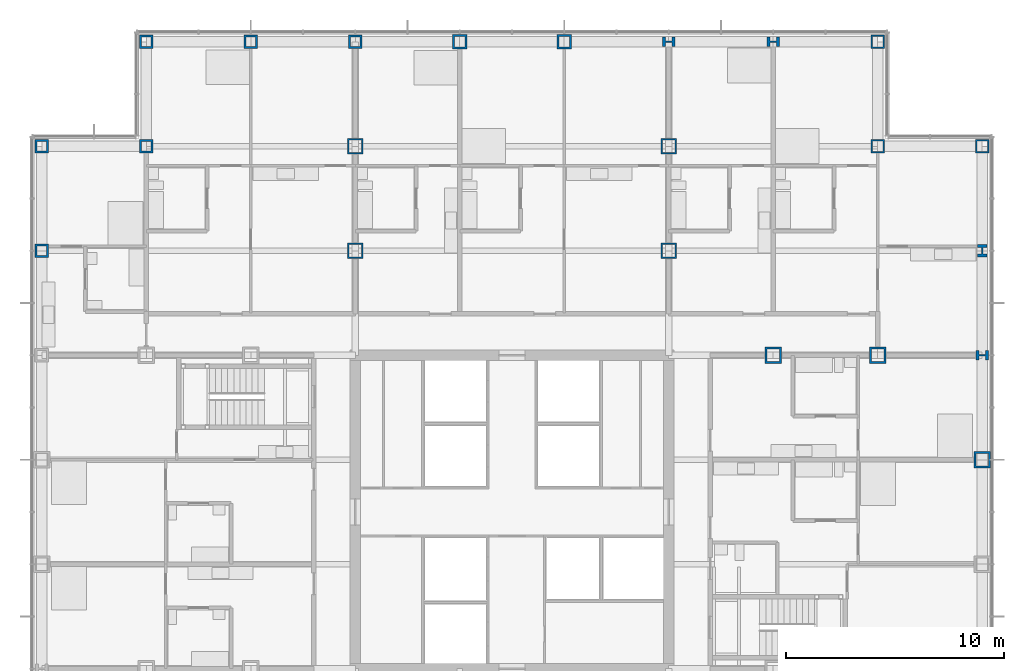
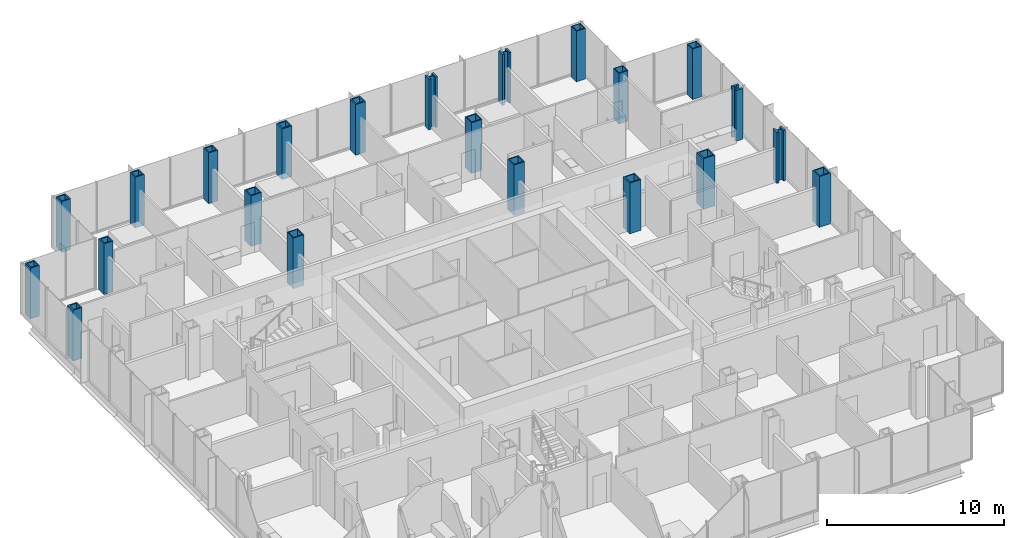
# One storey, part 5 of 21: 22 columns.
"""IFC4 building model written with IfcOpenShell, lengths in metres."""

from ifc_helpers import new_model, si_unit, direction, frame, origin, origin_2d, place, context, subcontext, project, spatial, hollow_rectangle, i_section, extrude, material, material_profile, profile_set, type_object, element, save


model = new_model("IFC4")

# Units and contexts
model_context = context("Model", 3, precision=1e-05, world=origin(), true_north=direction((0.0, 1.0)))
body_context = subcontext(model_context, "Body", "Model", "MODEL_VIEW")
ifc_project = project(units=[si_unit("LENGTHUNIT", "METRE"), si_unit("AREAUNIT", "SQUARE_METRE"), si_unit("VOLUMEUNIT", "CUBIC_METRE"), si_unit("PLANEANGLEUNIT", "RADIAN"), si_unit("MASSUNIT", "GRAM", prefix="KILO")], contexts=[model_context])

# Site, building, storey
site_placement = place(None, origin())
site = spatial("IfcSite", under=ifc_project, at=site_placement, CompositionType="ELEMENT")
building_placement = place(site_placement, origin())
building = spatial("IfcBuilding", under=site, at=building_placement, Name="Kvirike Care Tower", CompositionType="ELEMENT")
storey_placement = place(building_placement, frame((0.0, 0.0, 34.0)))
storey = spatial("IfcBuildingStorey", under=building, at=storey_placement, Name="L08", CompositionType="ELEMENT", Elevation=34.0)

# Columns
ifc_material_1 = material(Name="Steel S460", Category="steel")
ifc_material_profile_1 = material_profile(ifc_material_1, hollow_rectangle(XDim=0.60009765625, YDim=0.60009765625, WallThickness=0.050048828125, at=origin_2d()), Name="BX 600x600x50")
ifc_profile_set_1 = profile_set([ifc_material_profile_1], Name="Steel S460")
column_type_1 = type_object("IfcColumnType", Name="COLUMN BX 600x600x50", PredefinedType="COLUMN", material=ifc_profile_set_1)
for number, where, z_axis, x_axis, name in (
    (1, (38.39990234375, 52.800048828125, 0.0), (0.0, 0.0, 1.0), (0.0, 1.0, 0.0), "Column M11 L08"),
    (2, (38.39990234375, 57.60009765625, 0.0), (0.0, 0.0, 1.0), (0.0, 1.0, 0.0), "Column N11 L08"),
    (3, (43.199951171875, 52.800048828125, 0.0), (0.0, 0.0, 1.0), (0.0, 1.0, 0.0), "Column M12 L08"),
):
    element("IfcColumn", number, at=place(storey_placement, frame(where, z_axis=z_axis, x_axis=x_axis)), inside=storey, type_object=column_type_1, Name=name, PredefinedType="COLUMN", context=body_context, shape_type="SweptSolid", body=[
        extrude(hollow_rectangle(XDim=0.60009765625, YDim=0.60009765625, WallThickness=0.050048828125, at=origin_2d()), origin(), (0.0, 0.0, 1.0), 3.5),
    ])
ifc_material_2 = material(Name="Steel S460", Category="steel")
ifc_material_profile_2 = material_profile(ifc_material_2, hollow_rectangle(XDim=0.60009765625, YDim=0.60009765625, WallThickness=0.080078125, at=origin_2d()), Name="BX 600x600x80")
ifc_profile_set_2 = profile_set([ifc_material_profile_2], Name="Steel S460")
column_type_2 = type_object("IfcColumnType", Name="COLUMN BX 600x600x80", PredefinedType="COLUMN", material=ifc_profile_set_2)
for number, where, z_axis, x_axis, name in (
    (4, (0.0, 48.0, 0.0), (0.0, 0.0, 1.0), (1.0, 0.0, 0.0), "Column L3 L08"),
    (5, (0.0, 52.800048828125, 0.0), (0.0, 0.0, 1.0), (0.0, 1.0, 0.0), "Column M3 L08"),
    (6, (4.800048828125, 52.800048828125, 0.0), (0.0, 0.0, 1.0), (0.0, 1.0, 0.0), "Column M4 L08"),
    (7, (4.800048828125, 57.60009765625, 0.0), (0.0, 0.0, 1.0), (0.0, 1.0, 0.0), "Column N4 L08"),
    (8, (9.60009765625, 57.60009765625, 0.0), (0.0, 0.0, 1.0), (0.0, 1.0, 0.0), "Column N5 L08"),
    (9, (14.39990234375, 57.60009765625, 0.0), (0.0, 0.0, 1.0), (0.0, 1.0, 0.0), "Column N6 L08"),
):
    element("IfcColumn", number, at=place(storey_placement, frame(where, z_axis=z_axis, x_axis=x_axis)), inside=storey, type_object=column_type_2, Name=name, PredefinedType="COLUMN", context=body_context, shape_type="SweptSolid", body=[
        extrude(hollow_rectangle(XDim=0.60009765625, YDim=0.60009765625, WallThickness=0.080078125, at=origin_2d()), origin(), (0.0, 0.0, 1.0), 3.5),
    ])
ifc_material_3 = material(Name="Steel S460", Category="steel")
ifc_material_profile_3 = material_profile(ifc_material_3, hollow_rectangle(XDim=0.64990234375, YDim=0.64990234375, WallThickness=0.080078125, at=origin_2d()), Name="BX 650x650x80")
ifc_profile_set_3 = profile_set([ifc_material_profile_3], Name="Steel S460")
column_type_3 = type_object("IfcColumnType", Name="COLUMN BX 650x650x80", PredefinedType="COLUMN", material=ifc_profile_set_3)
for number, where, z_axis, x_axis, name in (
    (10, (19.199951171875, 57.60009765625, 0.0), (0.0, 0.0, 1.0), (0.0, 1.0, 0.0), "Column N7 L08"),
    (11, (24.0, 57.60009765625, 0.0), (0.0, 0.0, 1.0), (0.0, 1.0, 0.0), "Column N8 L08"),
):
    element("IfcColumn", number, at=place(storey_placement, frame(where, z_axis=z_axis, x_axis=x_axis)), inside=storey, type_object=column_type_3, Name=name, PredefinedType="COLUMN", context=body_context, shape_type="SweptSolid", body=[
        extrude(hollow_rectangle(XDim=0.64990234375, YDim=0.64990234375, WallThickness=0.080078125, at=origin_2d()), origin(), (0.0, 0.0, 1.0), 3.5),
    ])
ifc_material_4 = material(Name="Steel S460", Category="steel")
ifc_material_profile_4 = material_profile(ifc_material_4, hollow_rectangle(XDim=0.699951171875, YDim=0.699951171875, WallThickness=0.06005859375, at=origin_2d()), Name="BX 700x700x60")
ifc_profile_set_4 = profile_set([ifc_material_profile_4], Name="Steel S460")
column_type_4 = type_object("IfcColumnType", Name="COLUMN BX 700x700x60", PredefinedType="COLUMN", material=ifc_profile_set_4)
for number, where, z_axis, x_axis, name in (
    (12, (14.39990234375, 48.0, 0.0), (0.0, 0.0, 1.0), (1.0, 0.0, 0.0), "Column L6 L08"),
    (13, (14.39990234375, 52.800048828125, 0.0), (0.0, 0.0, 1.0), (1.0, 0.0, 0.0), "Column M6 L08"),
    (14, (28.800048828125, 48.0, 0.0), (0.0, 0.0, 1.0), (1.0, 0.0, 0.0), "Column L9 L08"),
    (15, (28.800048828125, 52.800048828125, 0.0), (0.0, 0.0, 1.0), (1.0, 0.0, 0.0), "Column M9 L08"),
):
    element("IfcColumn", number, at=place(storey_placement, frame(where, z_axis=z_axis, x_axis=x_axis)), inside=storey, type_object=column_type_4, Name=name, PredefinedType="COLUMN", context=body_context, shape_type="SweptSolid", body=[
        extrude(hollow_rectangle(XDim=0.699951171875, YDim=0.699951171875, WallThickness=0.06005859375, at=origin_2d()), origin(), (0.0, 0.0, 1.0), 3.5),
    ])
ifc_material_5 = material(Name="Steel S460", Category="steel")
ifc_material_profile_5 = material_profile(ifc_material_5, hollow_rectangle(XDim=0.75, YDim=0.75, WallThickness=0.080078125, at=origin_2d()), Name="BX 750x750x80")
ifc_profile_set_5 = profile_set([ifc_material_profile_5], Name="Steel S460")
column_type_5 = type_object("IfcColumnType", Name="COLUMN BX 750x750x80", PredefinedType="COLUMN", material=ifc_profile_set_5)
for number, where, z_axis, x_axis, name in (
    (16, (33.60009765625, 43.199951171875, 0.0), (0.0, 0.0, 1.0), (0.0, 1.0, 0.0), "Column K10 L08"),
    (17, (38.39990234375, 43.199951171875, 0.0), (0.0, 0.0, 1.0), (0.0, 1.0, 0.0), "Column K11 L08"),
    (18, (43.199951171875, 38.39990234375, 0.0), (0.0, 0.0, 1.0), (1.0, 0.0, 0.0), "Column J12 L08"),
):
    element("IfcColumn", number, at=place(storey_placement, frame(where, z_axis=z_axis, x_axis=x_axis)), inside=storey, type_object=column_type_5, Name=name, PredefinedType="COLUMN", context=body_context, shape_type="SweptSolid", body=[
        extrude(hollow_rectangle(XDim=0.75, YDim=0.75, WallThickness=0.080078125, at=origin_2d()), origin(), (0.0, 0.0, 1.0), 3.5),
    ])
ifc_material_6 = material(Name="Steel S460", Category="steel")
ifc_material_profile_6 = material_profile(ifc_material_6, i_section(OverallWidth=0.4541015625, OverallDepth=0.569091796875, WebThickness=0.077880859375, FlangeThickness=0.125, FilletRadius=0.014892578125, at=origin_2d()), Name="HD 400x1086")
ifc_profile_set_6 = profile_set([ifc_material_profile_6], Name="Steel S460")
column_type_6 = type_object("IfcColumnType", Name="COLUMN HD 400x1086", PredefinedType="COLUMN", material=ifc_profile_set_6)
for number, where, z_axis, x_axis, name in (
    (19, (28.800048828125, 57.60009765625, 0.0), (0.0, 0.0, 1.0), (0.0, 1.0, 0.0), "Column N9 L08"),
    (20, (33.60009765625, 57.60009765625, 0.0), (0.0, 0.0, 1.0), (0.0, 1.0, 0.0), "Column N10 L08"),
    (21, (43.199951171875, 43.199951171875, 0.0), (0.0, 0.0, 1.0), (0.0, 1.0, 0.0), "Column K12 L08"),
    (22, (43.199951171875, 48.0, 0.0), (0.0, 0.0, 1.0), (1.0, 0.0, 0.0), "Column L12 L08"),
):
    element("IfcColumn", number, at=place(storey_placement, frame(where, z_axis=z_axis, x_axis=x_axis)), inside=storey, type_object=column_type_6, Name=name, PredefinedType="COLUMN", context=body_context, shape_type="SweptSolid", body=[
        extrude(i_section(OverallWidth=0.4541015625, OverallDepth=0.569091796875, WebThickness=0.077880859375, FlangeThickness=0.125, FilletRadius=0.014892578125, at=origin_2d()), origin(), (0.0, 0.0, 1.0), 3.5),
    ])

save(model, "model.ifc")
